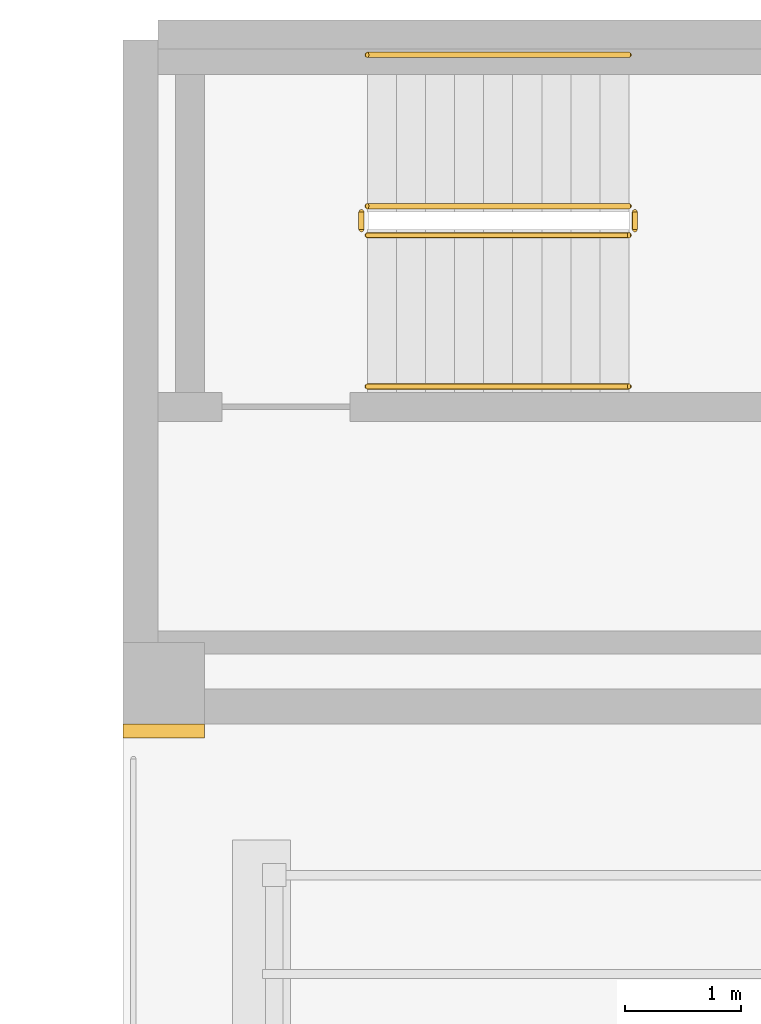
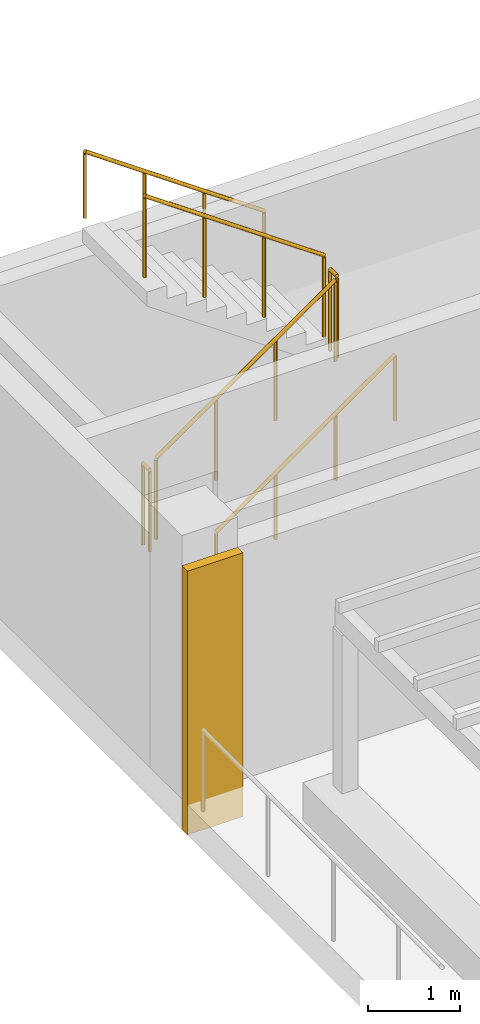
# One storey, part 9 of 9: 6 railings, 1 covering.
"""IFC4 building model written with IfcOpenShell, lengths in metres."""

import ifcopenshell
import ifcopenshell.guid

model = None  # the IFC model being written
_history = None  # IfcOwnerHistory: only IFC2X3 demands one
_inside = {}  # id of a spatial element -> (the spatial element, [elements in it])
_under = {}  # id of a project, library or spatial element -> (it, [spatial elements below it])
_declared = {}  # id of a project -> (the project, [libraries it declares])
_typed = {}  # id of a type object -> (the type object, [elements of that type])
_made_of = {}  # id of a material, layer set ... -> (it, [elements and type objects made of it])


def new_model(schema):
    """Start an empty IFC model of exactly this schema.

    Asked for "IFC4X3", IfcOpenShell would pick the latest addendum, in which some entities
    have other attributes; the version numbers below select the first issue.
    IFC2X3 requires an IfcOwnerHistory on every rooted entity: one is made here for all.
    """
    global model, _history
    if schema == "IFC4X3":
        model = ifcopenshell.file(schema_version=(4, 3, 0, 0))
    else:
        model = ifcopenshell.file(schema=schema)
    _inside.clear()
    _under.clear()
    _declared.clear()
    _typed.clear()
    _made_of.clear()
    _history = None
    if model.schema == "IFC2X3":
        org = make("IfcOrganization", Name="unknown")
        user = make(
            "IfcPersonAndOrganization",
            ThePerson=make("IfcPerson", FamilyName="unknown"),
            TheOrganization=org,
        )
        app = make(
            "IfcApplication",
            ApplicationDeveloper=org,
            Version="unknown",
            ApplicationFullName="unknown",
            ApplicationIdentifier="unknown",
        )
        _history = make(
            "IfcOwnerHistory",
            OwningUser=user,
            OwningApplication=app,
            ChangeAction="ADDED",
            CreationDate=0,
        )
    return model


def make(cls, **values):
    """One entity of the class cls with the attributes given. An attribute that is None is left unset."""
    return model.create_entity(
        cls, **{name: value for name, value in values.items() if value is not None}
    )


def rooted(cls, **values):
    """An entity with a GlobalId (a new one), such as an element, a storey or a relation."""
    return make(cls, GlobalId=ifcopenshell.guid.new(), OwnerHistory=_history, **values)


def si_unit(unit_type, name, prefix=None):
    """IfcSIUnit, for example si_unit("LENGTHUNIT", "METRE", prefix="MILLI")."""
    return make("IfcSIUnit", UnitType=unit_type, Prefix=prefix, Name=name)


def assignment(units):
    """IfcUnitAssignment: the units of a project."""
    return None if units is None else make("IfcUnitAssignment", Units=units)


def point(xyz):
    """IfcCartesianPoint."""
    return None if xyz is None else make("IfcCartesianPoint", Coordinates=xyz)


def direction(xyz):
    """IfcDirection."""
    return None if xyz is None else make("IfcDirection", DirectionRatios=xyz)


def frame(location, z_axis=None, x_axis=None):
    """IfcAxis2Placement3D, a coordinate frame: its origin and axes. An axis left out is left unset."""
    return make(
        "IfcAxis2Placement3D",
        Location=point(location),
        Axis=direction(z_axis),
        RefDirection=direction(x_axis),
    )


def frame_2d(location, x_axis=None):
    """IfcAxis2Placement2D, a coordinate frame in the plane: its origin and x axis."""
    return make(
        "IfcAxis2Placement2D", Location=point(location), RefDirection=direction(x_axis)
    )


def origin():
    """The frame at (0, 0, 0) with its axes left unset."""
    return frame((0.0, 0.0, 0.0))


def origin_2d():
    """The frame at (0, 0) in the plane with its x axis left unset."""
    return frame_2d((0.0, 0.0))


def place(relative_to, where):
    """IfcLocalPlacement: puts the frame where relative to a parent placement (None: the world)."""
    return make(
        "IfcLocalPlacement", PlacementRelTo=relative_to, RelativePlacement=where
    )


def context(
    kind, dimensions, precision=None, world=None, true_north=None, identifier=None
):
    """IfcGeometricRepresentationContext, for example the 3D "Model" context."""
    return make(
        "IfcGeometricRepresentationContext",
        ContextIdentifier=identifier,
        ContextType=kind,
        CoordinateSpaceDimension=dimensions,
        Precision=precision,
        WorldCoordinateSystem=world,
        TrueNorth=true_north,
    )


def subcontext(parent, identifier, kind, view, scale=None):
    """IfcGeometricRepresentationSubContext, for example "Body" below "Model"."""
    return make(
        "IfcGeometricRepresentationSubContext",
        ContextIdentifier=identifier,
        ContextType=kind,
        ParentContext=parent,
        TargetScale=scale,
        TargetView=view,
    )


def project(units=None, contexts=None):
    """IfcProject with its units and contexts."""
    return rooted(
        "IfcProject",
        Name="project",
        RepresentationContexts=contexts,
        UnitsInContext=assignment(units),
    )


def spatial(cls, under=None, at=None, **own):
    """A site, building, storey or space (cls), placed at a placement, below another one or the project."""
    s = rooted(cls, ObjectPlacement=at, **own)
    if under is not None:
        _under.setdefault(under.id(), (under, []))[1].append(s)
    return s


def profile(cls, at=None, kind="AREA", **sizes):
    """A parametric profile (cls). Its sizes go by their IFC names, for example OverallWidth=200.0."""
    return make(cls, ProfileType=kind, Position=at, **sizes)


def rectangle(**sizes):
    """IfcRectangleProfileDef."""
    return profile("IfcRectangleProfileDef", **sizes)


def circle(**sizes):
    """IfcCircleProfileDef."""
    return profile("IfcCircleProfileDef", **sizes)


def extrude(swept, where, along, depth):
    """IfcExtrudedAreaSolid: the profile swept, set in the frame where, extruded along a direction by depth."""
    return make(
        "IfcExtrudedAreaSolid",
        SweptArea=swept,
        Position=where,
        ExtrudedDirection=direction(along),
        Depth=depth,
    )


def shape(context_of_items, identifier, shape_type, items):
    """IfcShapeRepresentation: the items that make up one representation, for example the "Body"."""
    return make(
        "IfcShapeRepresentation",
        ContextOfItems=context_of_items,
        RepresentationIdentifier=identifier,
        RepresentationType=shape_type,
        Items=items,
    )


def source(mapping_origin, context_of_items, identifier, shape_type, items):
    """IfcRepresentationMap: a shape defined once, which mapped items show again and again."""
    return make(
        "IfcRepresentationMap",
        MappingOrigin=mapping_origin,
        MappedRepresentation=shape(context_of_items, identifier, shape_type, items),
    )


def transform(
    local_origin,
    x_axis=None,
    y_axis=None,
    z_axis=None,
    scale=None,
    scale2=None,
    scale3=None,
    uniform=True,
):
    """IfcCartesianTransformationOperator3D, or its non-uniform kind. x_axis, y_axis, z_axis: its Axis1, 2, 3."""
    if uniform:
        return make(
            "IfcCartesianTransformationOperator3D",
            Axis1=direction(x_axis),
            Axis2=direction(y_axis),
            LocalOrigin=point(local_origin),
            Scale=scale,
            Axis3=direction(z_axis),
        )
    return make(
        "IfcCartesianTransformationOperator3DnonUniform",
        Axis1=direction(x_axis),
        Axis2=direction(y_axis),
        LocalOrigin=point(local_origin),
        Scale=scale,
        Axis3=direction(z_axis),
        Scale2=scale2,
        Scale3=scale3,
    )


def mapped(mapping_source, mapping_target):
    """IfcMappedItem: shows the shape of a source again, moved by a transform."""
    return make(
        "IfcMappedItem", MappingSource=mapping_source, MappingTarget=mapping_target
    )


def material(Name=None, Category=None):
    """IfcMaterial."""
    return make("IfcMaterial", Name=Name, Category=Category)


def made_of(thing, what):
    """Note that an element or type object is made of a material, layer set ...; save() writes the relation."""
    if what is not None:
        _made_of.setdefault(what.id(), (what, []))[1].append(thing)
    return thing


def type_object(cls, material=None, **own):
    """A type object (cls), such as IfcWallType, which elements share."""
    return made_of(rooted(cls, **own), material)


def element(
    cls,
    number,
    at=None,
    inside=None,
    cuts=None,
    type_object=None,
    material=None,
    context=None,
    identifier="Body",
    shape_type=None,
    held_by="IfcProductDefinitionShape",
    body=None,
    shapes=None,
    **own,
):
    """One element of the class cls, such as IfcWall. Its Tag is "e" and its number.

    at: its placement. inside: the storey or other place that contains it. cuts: it is an
    opening in that element (IfcRelVoidsElement). A single representation is given by context,
    identifier, shape_type and body (its items); several are given by shapes. held_by: the class
    of the entity that holds the representations. save() writes the other relations.
    """
    e = rooted(cls, Tag="e%d" % number, ObjectPlacement=at, **own)
    if body is not None:
        shapes = [shape(context, identifier, shape_type, body)]
    if shapes is not None:
        e.Representation = make(held_by, Representations=shapes)
    if inside is not None:
        _inside.setdefault(inside.id(), (inside, []))[1].append(e)
    if cuts is not None:
        rooted(
            "IfcRelVoidsElement", RelatingBuildingElement=cuts, RelatedOpeningElement=e
        )
    if type_object is not None:
        _typed.setdefault(type_object.id(), (type_object, []))[1].append(e)
    return made_of(e, material)


def aggregate(whole, parts):
    """IfcRelAggregates: a whole, such as a stair, and the parts it consists of."""
    return rooted("IfcRelAggregates", RelatingObject=whole, RelatedObjects=parts)


def save(model, path):
    """Write the relations noted so far, then the file.

    IfcRelAggregates (storeys below a building ...), IfcRelContainedInSpatialStructure (elements
    in a storey), IfcRelDefinesByType, IfcRelAssociatesMaterial and IfcRelDeclares: one each for
    every whole, place, type object, material and project.
    """
    for whole, parts in _under.values():
        aggregate(whole, parts)
    for where, things in _inside.values():
        rooted(
            "IfcRelContainedInSpatialStructure",
            RelatedElements=things,
            RelatingStructure=where,
        )
    for kind, things in _typed.values():
        rooted("IfcRelDefinesByType", RelatedObjects=things, RelatingType=kind)
    for what, things in _made_of.values():
        rooted("IfcRelAssociatesMaterial", RelatedObjects=things, RelatingMaterial=what)
    for by, libraries in _declared.values():
        rooted("IfcRelDeclares", RelatingContext=by, RelatedDefinitions=libraries)
    model.write(path)


model = new_model("IFC4")

# Units and contexts
model_context = context("Model", 3, precision=1e-05, world=origin(), true_north=direction((0.0, 1.0)))
body_context = subcontext(model_context, "Body", "Model", "MODEL_VIEW")
ifc_project = project(units=[si_unit("LENGTHUNIT", "METRE"), si_unit("AREAUNIT", "SQUARE_METRE"), si_unit("VOLUMEUNIT", "CUBIC_METRE"), si_unit("PLANEANGLEUNIT", "RADIAN"), si_unit("MASSUNIT", "GRAM", prefix="KILO")], contexts=[model_context])

# Site, building, storey
site_placement = place(None, origin())
site = spatial("IfcSite", under=ifc_project, at=site_placement, CompositionType="ELEMENT")
building_placement = place(site_placement, origin())
building = spatial("IfcBuilding", under=site, at=building_placement, Name="Aurelian Terraces", CompositionType="ELEMENT")
storey_placement = place(building_placement, frame((0.0, 0.0, 309.0)))
storey = spatial("IfcBuildingStorey", under=building, at=storey_placement, Name="L71", CompositionType="ELEMENT", Elevation=309.0)

# Covering
ifc_material_1 = material(Name="Terracotta rainscreen cladding relief", Category="masonry")
covering_type = type_object("IfcCoveringType", Name="BAGUETTE-TC", PredefinedType="CLADDING", material=ifc_material_1)
shared_shape_1 = source(origin(), body_context, "Body", "SweptSolid", [
    extrude(rectangle(XDim=0.7, YDim=0.12, at=origin_2d()), origin(), (0.0, 0.0, 1.0), 3.5),
])
covering_placement = place(storey_placement, frame((10.85, 37.74, -0.4), z_axis=(0.0, 0.0, 1.0), x_axis=(1.0, 0.0, 0.0)))
element("IfcCovering", 1, at=covering_placement, inside=storey, type_object=covering_type, Name="BAGUETTE pier L71 6", PredefinedType="CLADDING", context=body_context, shape_type="MappedRepresentation", body=[
    mapped(shared_shape_1, transform((0.0, 0.0, 0.0), scale=1.0)),
])

# Railings
ifc_material_2 = material(Name="Stainless steel", Category="steel")
railing_type_1 = type_object("IfcRailingType", Name="Stair guard 1100", PredefinedType="GUARDRAIL", material=ifc_material_2)
shared_shape_2 = source(origin(), body_context, "Body", "SweptSolid", [
    extrude(circle(Radius=0.024, at=origin_2d()), frame((0.0, 0.0, 1.076), z_axis=(0.0, 1.0, 0.0), x_axis=(-1.0, 0.0, 0.0)), (0.0, 0.0, 1.0), 0.15),
    extrude(circle(Radius=0.021, at=origin_2d()), origin(), (0.0, 0.0, 1.0), 1.052),
    extrude(circle(Radius=0.021, at=origin_2d()), frame((0.0, 0.15, 0.0)), (0.0, 0.0, 1.0), 1.052),
])
for number, where, name in (
    (2, (14.9, 42.05, 1.75), "L71 S3U stair guard 2"),
    (3, (12.55, 42.05, 0.0), "L71 S3U stair guard 4"),
):
    element("IfcRailing", number, at=place(storey_placement, frame(where)), inside=storey, type_object=railing_type_1, Name=name, PredefinedType="GUARDRAIL", context=body_context, shape_type="MappedRepresentation", body=[
        mapped(shared_shape_2, transform((0.0, 0.0, 0.0), scale=1.0)),
    ])
shared_shape_3 = source(origin(), body_context, "Body", "SweptSolid", [
    extrude(circle(Radius=0.024, at=origin_2d()), frame((0.0, 0.0, 1.076), z_axis=(0.819231920519, 0.0, 0.573462344363), x_axis=(0.0, 1.0, 0.0)), (0.0, 0.0, 1.0), 2.7465),
    extrude(circle(Radius=0.021, at=origin_2d()), origin(), (0.0, 0.0, 1.0), 1.052),
    extrude(circle(Radius=0.021, at=origin_2d()), frame((0.75, 0.0, 0.525)), (0.0, 0.0, 1.0), 1.052),
    extrude(circle(Radius=0.021, at=origin_2d()), frame((1.5, 0.0, 1.05)), (0.0, 0.0, 1.0), 1.052),
    extrude(circle(Radius=0.021, at=origin_2d()), frame((2.25, 0.0, 1.575)), (0.0, 0.0, 1.0), 1.052),
])
railing_1_placement = place(storey_placement, frame((12.6, 42.0, 0.175)))
element("IfcRailing", 4, at=railing_1_placement, inside=storey, type_object=railing_type_1, Name="L71 S3U stair guard 1", PredefinedType="GUARDRAIL", context=body_context, shape_type="MappedRepresentation", body=[
    mapped(shared_shape_3, transform((0.0, 0.0, 0.0), scale=1.0)),
])
shared_shape_4 = source(origin(), body_context, "Body", "SweptSolid", [
    extrude(circle(Radius=0.024, at=origin_2d()), frame((0.0, 0.0, 1.076), z_axis=(-0.819231920519, 0.0, 0.573462344363), x_axis=(0.0, -1.0, 0.0)), (0.0, 0.0, 1.0), 2.7465),
    extrude(circle(Radius=0.021, at=origin_2d()), origin(), (0.0, 0.0, 1.0), 1.052),
    extrude(circle(Radius=0.021, at=origin_2d()), frame((-0.75, 0.0, 0.525)), (0.0, 0.0, 1.0), 1.052),
    extrude(circle(Radius=0.021, at=origin_2d()), frame((-1.5, 0.0, 1.05)), (0.0, 0.0, 1.0), 1.052),
    extrude(circle(Radius=0.021, at=origin_2d()), frame((-2.25, 0.0, 1.575)), (0.0, 0.0, 1.0), 1.052),
])
railing_2_placement = place(storey_placement, frame((14.85, 42.25, 1.925)))
element("IfcRailing", 5, at=railing_2_placement, inside=storey, type_object=railing_type_1, Name="L71 S3U stair guard 3", PredefinedType="GUARDRAIL", context=body_context, shape_type="MappedRepresentation", body=[
    mapped(shared_shape_4, transform((0.0, 0.0, 0.0), scale=1.0)),
])
railing_type_2 = type_object("IfcRailingType", Name="Stair handrail", PredefinedType="HANDRAIL", material=ifc_material_2)
shared_shape_5 = source(origin(), body_context, "Body", "SweptSolid", [
    extrude(circle(Radius=0.024, at=origin_2d()), frame((0.0, 0.0, 0.876), z_axis=(0.819231920519, 0.0, 0.573462344363), x_axis=(0.0, 1.0, 0.0)), (0.0, 0.0, 1.0), 2.7465),
    extrude(circle(Radius=0.021, at=origin_2d()), origin(), (0.0, 0.0, 1.0), 0.852),
    extrude(circle(Radius=0.021, at=origin_2d()), frame((0.75, 0.0, 0.525)), (0.0, 0.0, 1.0), 0.852),
    extrude(circle(Radius=0.021, at=origin_2d()), frame((1.5, 0.0, 1.05)), (0.0, 0.0, 1.0), 0.852),
    extrude(circle(Radius=0.021, at=origin_2d()), frame((2.25, 0.0, 1.575)), (0.0, 0.0, 1.0), 0.852),
])
railing_3_placement = place(storey_placement, frame((12.6, 40.7, 0.175)))
element("IfcRailing", 6, at=railing_3_placement, inside=storey, type_object=railing_type_2, Name="L71 S3U stair handrail 1", PredefinedType="HANDRAIL", context=body_context, shape_type="MappedRepresentation", body=[
    mapped(shared_shape_5, transform((0.0, 0.0, 0.0), scale=1.0)),
])
shared_shape_6 = source(origin(), body_context, "Body", "SweptSolid", [
    extrude(circle(Radius=0.024, at=origin_2d()), frame((0.0, 0.0, 0.876), z_axis=(-0.819231920519, 0.0, 0.573462344363), x_axis=(0.0, -1.0, 0.0)), (0.0, 0.0, 1.0), 2.7465),
    extrude(circle(Radius=0.021, at=origin_2d()), origin(), (0.0, 0.0, 1.0), 0.852),
    extrude(circle(Radius=0.021, at=origin_2d()), frame((-0.75, 0.0, 0.525)), (0.0, 0.0, 1.0), 0.852),
    extrude(circle(Radius=0.021, at=origin_2d()), frame((-1.5, 0.0, 1.05)), (0.0, 0.0, 1.0), 0.852),
    extrude(circle(Radius=0.021, at=origin_2d()), frame((-2.25, 0.0, 1.575)), (0.0, 0.0, 1.0), 0.852),
])
railing_4_placement = place(storey_placement, frame((14.85, 43.55, 1.925)))
element("IfcRailing", 7, at=railing_4_placement, inside=storey, type_object=railing_type_2, Name="L71 S3U stair handrail 2", PredefinedType="HANDRAIL", context=body_context, shape_type="MappedRepresentation", body=[
    mapped(shared_shape_6, transform((0.0, 0.0, 0.0), scale=1.0)),
])

save(model, "model.ifc")
